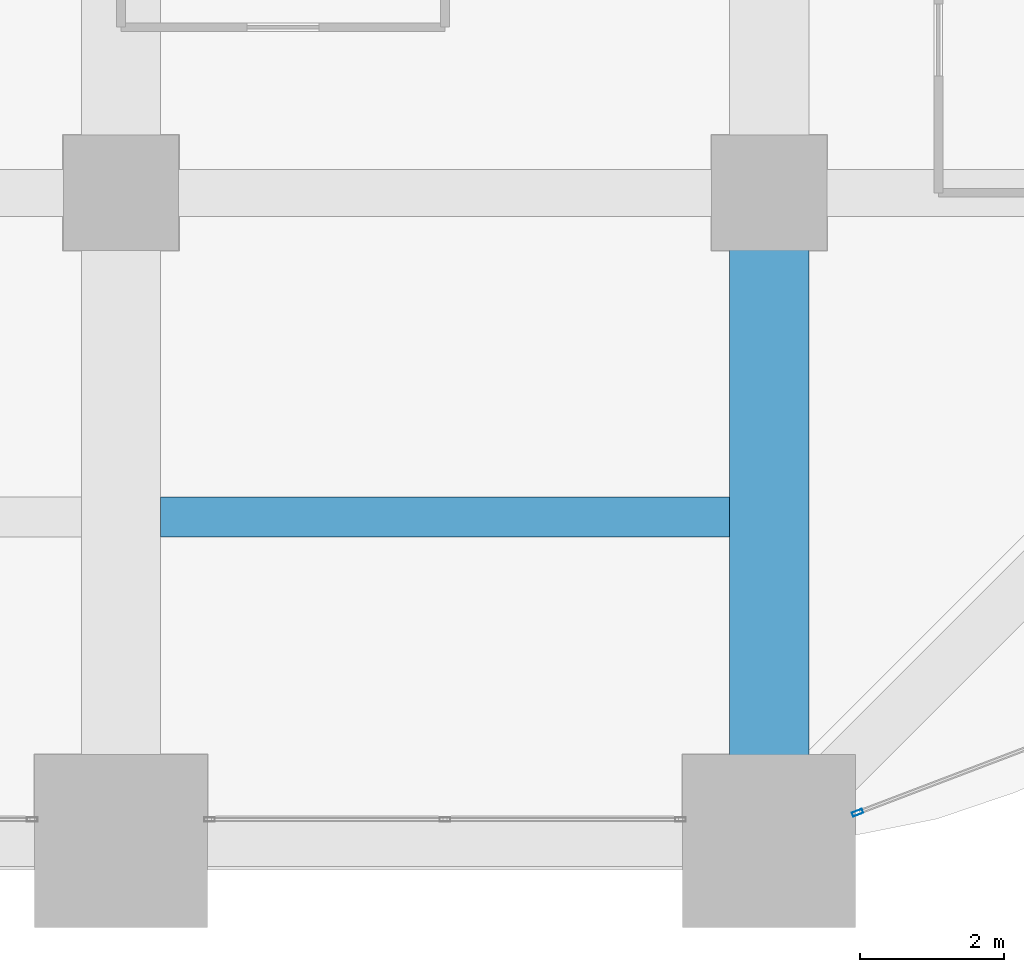
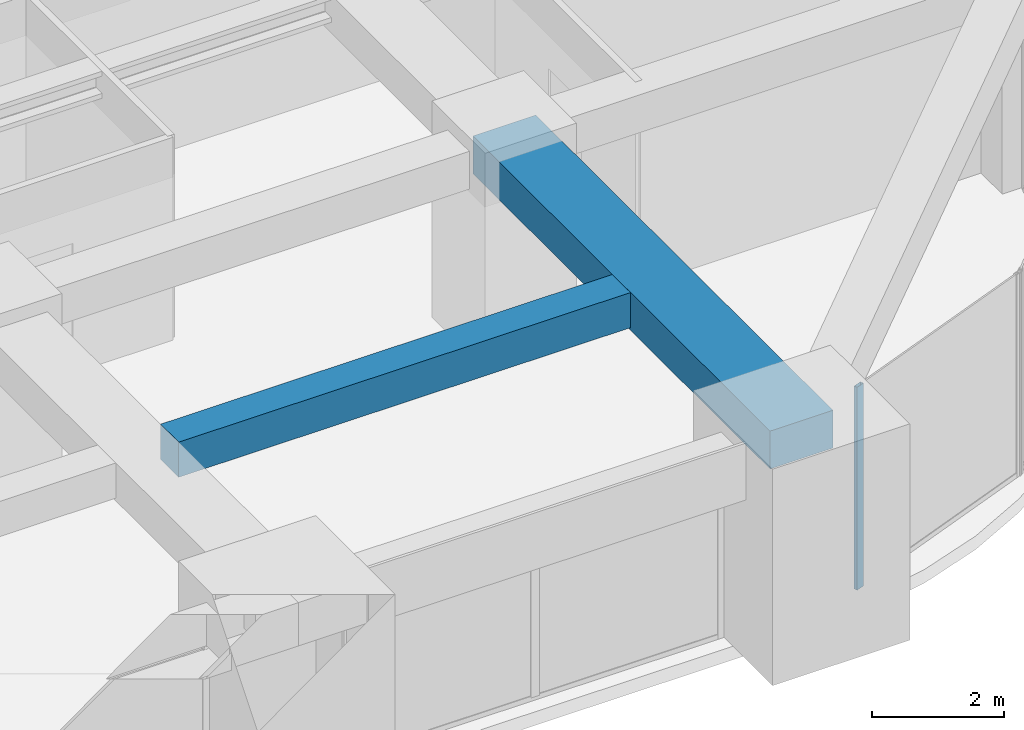
# One storey, part 14 of 32: 2 beams, 1 member, 1 element without a shape of its own.
"""IFC4 building model written with IfcOpenShell, lengths in metres."""

from ifc_helpers import new_model, si_unit, direction, frame, origin, origin_2d, place, context, subcontext, project, spatial, rectangle, hollow_rectangle, extrude, material, material_profile, profile_set, type_object, element, aggregate, save


model = new_model("IFC4")

# Units and contexts
model_context = context("Model", 3, precision=1e-05, world=origin(), true_north=direction((0.0, 1.0)))
body_context = subcontext(model_context, "Body", "Model", "MODEL_VIEW")
ifc_project = project(units=[si_unit("LENGTHUNIT", "METRE"), si_unit("AREAUNIT", "SQUARE_METRE"), si_unit("VOLUMEUNIT", "CUBIC_METRE"), si_unit("PLANEANGLEUNIT", "RADIAN"), si_unit("MASSUNIT", "GRAM", prefix="KILO")], contexts=[model_context])

# Site, building, storey
site_placement = place(None, origin())
site = spatial("IfcSite", under=ifc_project, at=site_placement, CompositionType="ELEMENT")
building_placement = place(site_placement, origin())
building = spatial("IfcBuilding", under=site, at=building_placement, Name="Zorevar Civic Tower", CompositionType="ELEMENT")
storey_placement = place(building_placement, frame((0.0, 0.0, 186.199951171875)))
storey = spatial("IfcBuildingStorey", under=building, at=storey_placement, Name="L45", CompositionType="ELEMENT", Elevation=186.199951171875)

# Beams
ifc_material_1 = material(Name="Concrete C50/60", Category="concrete")
ifc_material_profile_1 = material_profile(ifc_material_1, rectangle(XDim=1.10009765625, YDim=0.699951171875, at=origin_2d()), Name="RC 1100x700")
ifc_profile_set_1 = profile_set([ifc_material_profile_1], Name="Concrete C50/60")
beam_type_1 = type_object("IfcBeamType", Name="Beam RC 1100x700", PredefinedType="BEAM", material=ifc_profile_set_1)
beam_1_placement = place(storey_placement, frame((45.0, 0.0, 3.400146484375), z_axis=(0.0, 1.0, 0.0), x_axis=(-1.0, 0.0, 0.0)))
element("IfcBeam", 1, at=beam_1_placement, inside=storey, type_object=beam_type_1, Name="Girder L46", PredefinedType="BEAM", context=body_context, shape_type="SweptSolid", body=[
    extrude(rectangle(XDim=1.10009765625, YDim=0.699951171875, at=origin_2d()), origin(), (0.0, 0.0, 1.0), 9.0),
])
ifc_material_2 = material(Name="Concrete C50/60", Category="concrete")
ifc_material_profile_2 = material_profile(ifc_material_2, rectangle(XDim=0.550048828125, YDim=0.64990234375, at=origin_2d()), Name="RC 550x650")
ifc_profile_set_2 = profile_set([ifc_material_profile_2], Name="Concrete C50/60")
beam_type_2 = type_object("IfcBeamType", Name="Beam RC 550x650", PredefinedType="BEAM", material=ifc_profile_set_2)
beam_2_placement = place(storey_placement, frame((36.550048828125, 4.5, 3.425048828125), z_axis=(1.0, 0.0, 0.0), x_axis=(0.0, 1.0, 0.0)))
element("IfcBeam", 2, at=beam_2_placement, inside=storey, type_object=beam_type_2, Name="Secondary beam L46", PredefinedType="BEAM", context=body_context, shape_type="SweptSolid", body=[
    extrude(rectangle(XDim=0.550048828125, YDim=0.64990234375, at=origin_2d()), origin(), (0.0, 0.0, 1.0), 7.89990234375),
])

# Curtain wall, member
ifc_material_3 = material(Name="Dark grey solar-control glass in black aluminium frame", Category="aluminium")
curtain_wall_type = type_object("IfcCurtainWallType", Name="Curtain wall CW4 high zone", PredefinedType="NOTDEFINED", material=ifc_material_3)
curtain_wall_placement = place(storey_placement, origin())
curtain_wall = element("IfcCurtainWall", 3, at=curtain_wall_placement, inside=storey, type_object=curtain_wall_type, Name="CW4 L45", PredefinedType="NOTDEFINED")
ifc_material_4 = material(Name="Aluminium, black anodised", Category="aluminium")
ifc_material_profile_3 = material_profile(ifc_material_4, hollow_rectangle(XDim=0.06005859375, YDim=0.14990234375, WallThickness=0.00390625, at=origin_2d()), Name="AL 150x60x4")
ifc_profile_set_3 = profile_set([ifc_material_profile_3], Name="Aluminium, black anodised")
member_type = type_object("IfcMemberType", Name="CW4 mullion AL 150x60x4", PredefinedType="MULLION", material=ifc_profile_set_3)
member_placement = place(storey_placement, frame((46.22802734375, 0.393798828125, 0.0), z_axis=(0.0, 0.0, 1.0), x_axis=(-0.355730895803, 0.93458842801, 0.0)))
member = element("IfcMember", 4, at=member_placement, type_object=member_type, Name="CW4 mullion 1", PredefinedType="MULLION", context=body_context, shape_type="SweptSolid", body=[
    extrude(hollow_rectangle(XDim=0.06005859375, YDim=0.14990234375, WallThickness=0.00390625, at=origin_2d()), origin(), (0.0, 0.0, 1.0), 3.75),
])
aggregate(curtain_wall, [member])

save(model, "model.ifc")
